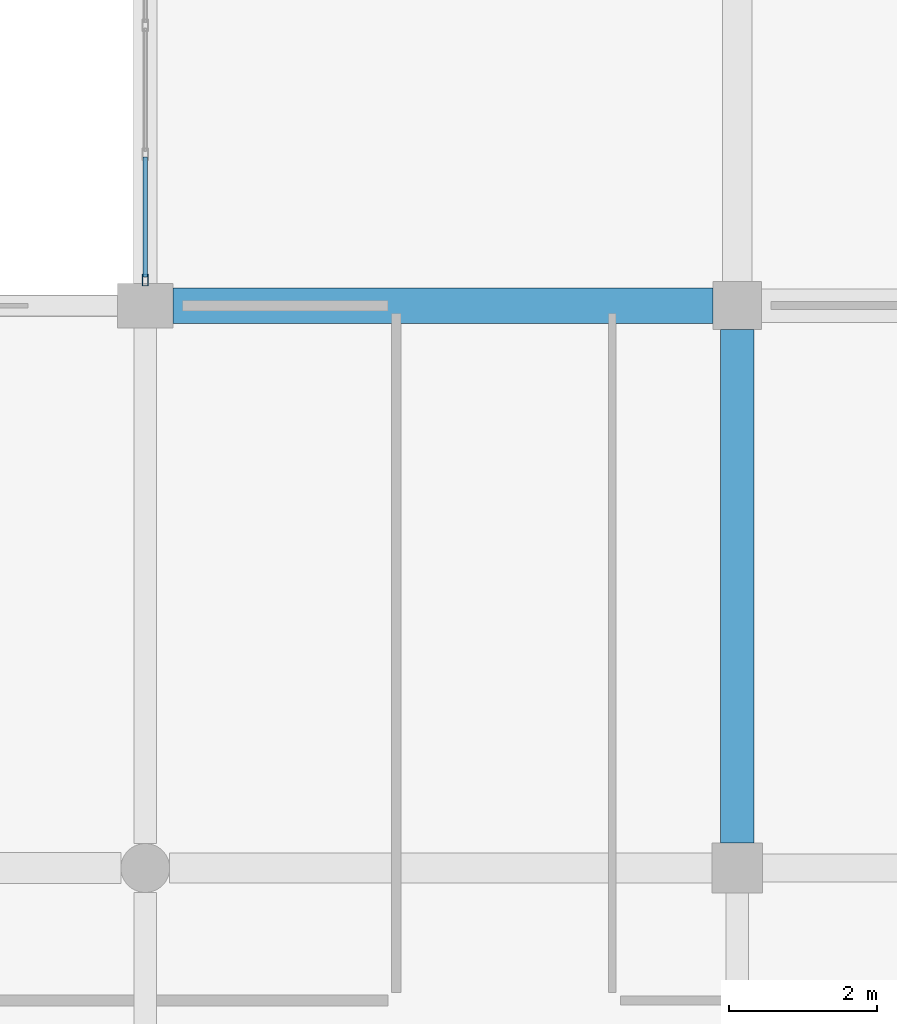
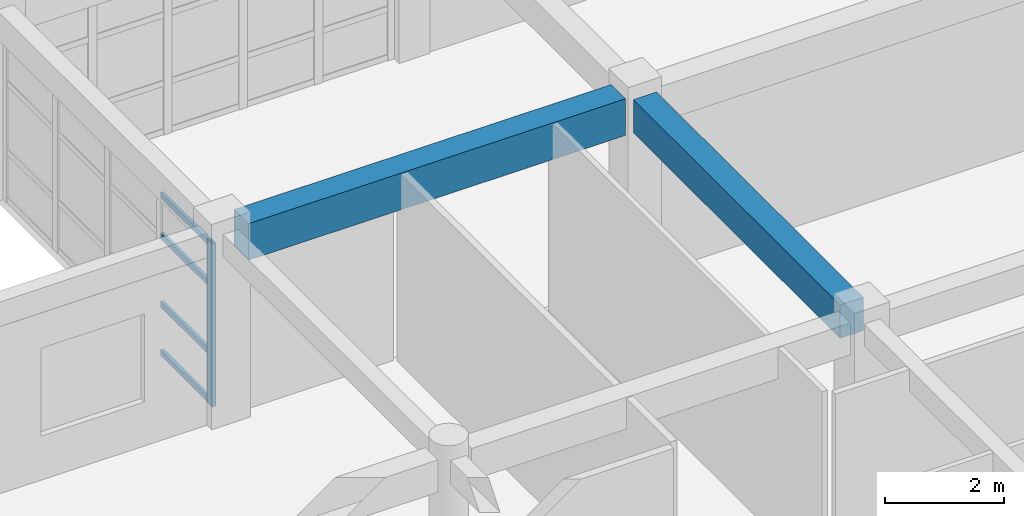
# One storey, part 42 of 195: 5 members, 2 beams, 1 element without a shape of its own.
"""IFC4 building model written with IfcOpenShell, lengths in metres."""

from ifc_helpers import new_model, si_unit, direction, frame, origin, origin_2d, place, context, subcontext, project, spatial, rectangle, hollow_rectangle, extrude, material, material_profile, profile_set, type_object, element, aggregate, save


model = new_model("IFC4")

# Units and contexts
model_context = context("Model", 3, precision=1e-05, world=origin(), true_north=direction((0.0, 1.0)))
body_context = subcontext(model_context, "Body", "Model", "MODEL_VIEW")
ifc_project = project(units=[si_unit("LENGTHUNIT", "METRE"), si_unit("AREAUNIT", "SQUARE_METRE"), si_unit("VOLUMEUNIT", "CUBIC_METRE"), si_unit("PLANEANGLEUNIT", "RADIAN"), si_unit("MASSUNIT", "GRAM", prefix="KILO")], contexts=[model_context])

# Site, building, storey
site_placement = place(None, origin())
site = spatial("IfcSite", under=ifc_project, at=site_placement, CompositionType="ELEMENT")
building_placement = place(site_placement, origin())
building = spatial("IfcBuilding", under=site, at=building_placement, Name="Kharva Crest Polytechnic", CompositionType="ELEMENT")
storey_placement = place(building_placement, frame((0.0, 0.0, 9.0)))
storey = spatial("IfcBuildingStorey", under=building, at=storey_placement, Name="L02", CompositionType="ELEMENT", Elevation=9.0)

# Beams
ifc_material_1 = material(Name="Concrete C35/45", Category="concrete")
ifc_material_profile_1 = material_profile(ifc_material_1, rectangle(XDim=0.449951171875, YDim=0.679931640625, at=origin_2d()), Name="RECT 450 X 680")
ifc_profile_set_1 = profile_set([ifc_material_profile_1], Name="Concrete C35/45")
beam_type_1 = type_object("IfcBeamType", Name="BM-RC-450X680", PredefinedType="BEAM", material=ifc_profile_set_1)
beam_1_placement = place(storey_placement, frame((40.0, 23.139892578125, 3.580078125), z_axis=(0.0, 1.0, 0.0), x_axis=(-1.0, 0.0, 0.0)))
element("IfcBeam", 1, at=beam_1_placement, inside=storey, type_object=beam_type_1, Name="L02 Girder 6/D-E", PredefinedType="BEAM", context=body_context, shape_type="SweptSolid", body=[
    extrude(rectangle(XDim=0.449951171875, YDim=0.679931640625, at=origin_2d()), origin(), (0.0, 0.0, 1.0), 6.93505859375),
])
ifc_material_profile_2 = material_profile(ifc_material_1, rectangle(XDim=0.47998046875, YDim=0.75, at=origin_2d()), Name="RECT 480 X 750")
ifc_profile_set_2 = profile_set([ifc_material_profile_2], Name="Concrete C35/45")
beam_type_2 = type_object("IfcBeamType", Name="BM-RC-480X750", PredefinedType="BEAM", material=ifc_profile_set_2)
beam_2_placement = place(storey_placement, frame((32.375, 30.39990234375, 3.544921875), z_axis=(1.0, 0.0, 0.0), x_axis=(0.0, 1.0, 0.0)))
element("IfcBeam", 2, at=beam_2_placement, inside=storey, type_object=beam_type_2, Name="L02 Beam E/5-6", PredefinedType="BEAM", context=body_context, shape_type="SweptSolid", body=[
    extrude(rectangle(XDim=0.47998046875, YDim=0.75, at=origin_2d()), origin(), (0.0, 0.0, 1.0), 7.300048828125),
])

# Curtain wall, members
ifc_material_2 = material(Name="Tempered insulated glass", Category="glass")
curtain_wall_type = type_object("IfcCurtainWallType", Name="CW-SYS-COURT", PredefinedType="USERDEFINED", material=ifc_material_2)
curtain_wall_placement = place(storey_placement, origin())
curtain_wall = element("IfcCurtainWall", 3, at=curtain_wall_placement, inside=storey, type_object=curtain_wall_type, Name="L02 Glazed Curtain Wall CW-088", ObjectType="CURTAIN WALL", PredefinedType="USERDEFINED")
ifc_material_3 = material(Name="Steel S355", Category="steel")
ifc_material_profile_3 = material_profile(ifc_material_3, hollow_rectangle(XDim=0.080078125, YDim=0.159912109375, WallThickness=0.0048828125, at=origin_2d()), Name="RHS 160X80X5.0")
ifc_profile_set_3 = profile_set([ifc_material_profile_3], Name="Steel S355")
member_type_1 = type_object("IfcMemberType", Name="CWM-RHS160X80", PredefinedType="MULLION", material=ifc_profile_set_3)
member_1_placement = place(storey_placement, frame((32.0, 30.7451171875, 0.0), z_axis=(0.0, 0.0, 1.0), x_axis=(1.0, 0.0, 0.0)))
member_1 = element("IfcMember", 4, at=member_1_placement, type_object=member_type_1, Name="CW-088 mullion 5", PredefinedType="MULLION", context=body_context, shape_type="SweptSolid", body=[
    extrude(hollow_rectangle(XDim=0.080078125, YDim=0.159912109375, WallThickness=0.0048828125, at=origin_2d()), origin(), (0.0, 0.0, 1.0), 3.340087890625),
])
ifc_material_profile_4 = material_profile(ifc_material_3, hollow_rectangle(XDim=0.06005859375, YDim=0.1201171875, WallThickness=0.00390625, at=origin_2d()), Name="RHS 120X60X4.0")
ifc_profile_set_4 = profile_set([ifc_material_profile_4], Name="Steel S355")
member_type_2 = type_object("IfcMemberType", Name="CWT-RHS120X60", PredefinedType="USERDEFINED", material=ifc_profile_set_4)
member_2_placement = place(storey_placement, frame((32.0, 32.40625, 0.06005859375), z_axis=(0.0, -1.0, 0.0), x_axis=(1.0, 0.0, 0.0)))
member_2 = element("IfcMember", 5, at=member_2_placement, type_object=member_type_2, Name="CW-088 transom 4.1", ObjectType="TRANSOM", PredefinedType="USERDEFINED", context=body_context, shape_type="SweptSolid", body=[
    extrude(hollow_rectangle(XDim=0.06005859375, YDim=0.1201171875, WallThickness=0.00390625, at=origin_2d()), origin(), (0.0, 0.0, 1.0), 1.621337890625),
])
member_3_placement = place(storey_placement, frame((32.0, 32.40625, 1.050048828125), z_axis=(0.0, -1.0, 0.0), x_axis=(1.0, 0.0, 0.0)))
member_3 = element("IfcMember", 6, at=member_3_placement, type_object=member_type_2, Name="CW-088 transom 4.2", ObjectType="TRANSOM", PredefinedType="USERDEFINED", context=body_context, shape_type="SweptSolid", body=[
    extrude(hollow_rectangle(XDim=0.06005859375, YDim=0.1201171875, WallThickness=0.00390625, at=origin_2d()), origin(), (0.0, 0.0, 1.0), 1.621337890625),
])
member_4_placement = place(storey_placement, frame((32.0, 32.40625, 2.449951171875), z_axis=(0.0, -1.0, 0.0), x_axis=(1.0, 0.0, 0.0)))
member_4 = element("IfcMember", 7, at=member_4_placement, type_object=member_type_2, Name="CW-088 transom 4.3", ObjectType="TRANSOM", PredefinedType="USERDEFINED", context=body_context, shape_type="SweptSolid", body=[
    extrude(hollow_rectangle(XDim=0.06005859375, YDim=0.1201171875, WallThickness=0.00390625, at=origin_2d()), origin(), (0.0, 0.0, 1.0), 1.621337890625),
])
member_5_placement = place(storey_placement, frame((32.0, 32.40625, 3.280029296875), z_axis=(0.0, -1.0, 0.0), x_axis=(1.0, 0.0, 0.0)))
member_5 = element("IfcMember", 8, at=member_5_placement, type_object=member_type_2, Name="CW-088 transom 4.4", ObjectType="TRANSOM", PredefinedType="USERDEFINED", context=body_context, shape_type="SweptSolid", body=[
    extrude(hollow_rectangle(XDim=0.06005859375, YDim=0.1201171875, WallThickness=0.00390625, at=origin_2d()), origin(), (0.0, 0.0, 1.0), 1.621337890625),
])
aggregate(curtain_wall, [member_1, member_2, member_3, member_4, member_5])

save(model, "model.ifc")
